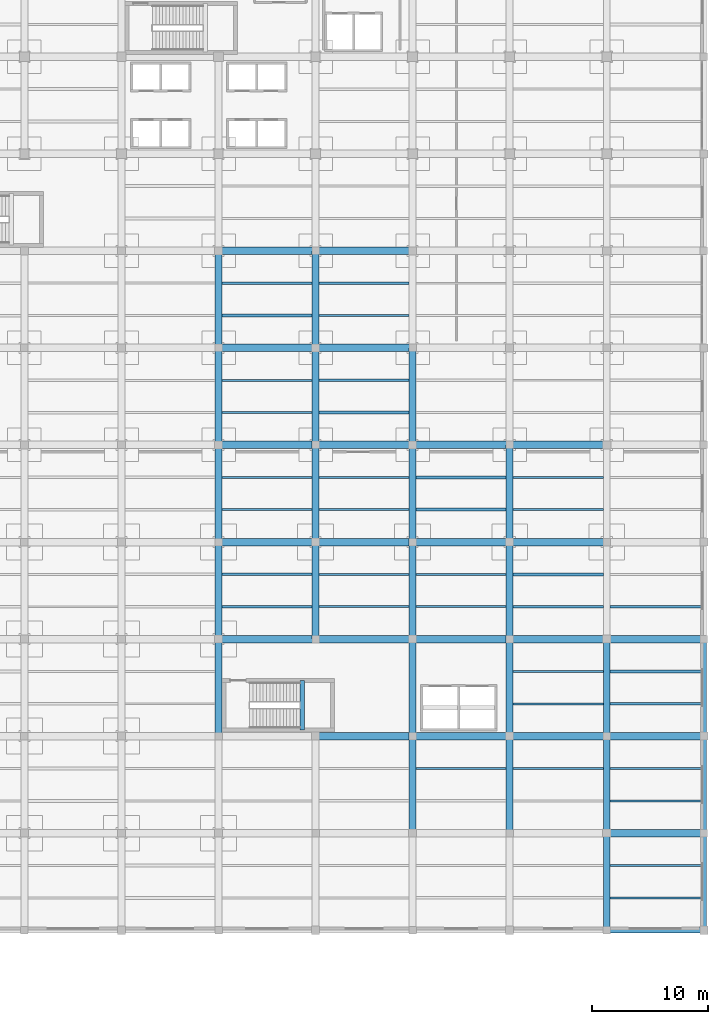
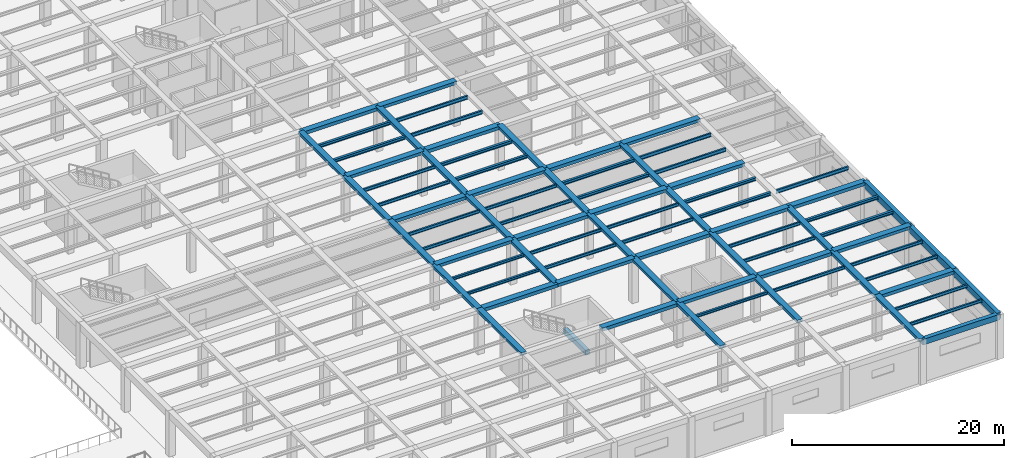
# One storey, part 30 of 65: 83 beams.
"""IFC4 building model written with IfcOpenShell, lengths in metres."""

from ifc_helpers import new_model, si_unit, direction, frame, origin, origin_2d, place, context, subcontext, project, spatial, rectangle, i_section, extrude, material, material_profile, profile_set, type_object, element, save


model = new_model("IFC4")

# Units and contexts
model_context = context("Model", 3, precision=1e-05, world=origin(), true_north=direction((0.0, 1.0)))
body_context = subcontext(model_context, "Body", "Model", "MODEL_VIEW")
ifc_project = project(units=[si_unit("LENGTHUNIT", "METRE"), si_unit("AREAUNIT", "SQUARE_METRE"), si_unit("VOLUMEUNIT", "CUBIC_METRE"), si_unit("PLANEANGLEUNIT", "RADIAN"), si_unit("MASSUNIT", "GRAM", prefix="KILO")], contexts=[model_context])

# Site, building, storey
site_placement = place(None, origin())
site = spatial("IfcSite", under=ifc_project, at=site_placement, CompositionType="ELEMENT")
building_placement = place(site_placement, origin())
building = spatial("IfcBuilding", under=site, at=building_placement, Name="Almacenes y Pasaje Nevantli", CompositionType="ELEMENT")
storey_placement = place(building_placement, frame((0.0, 0.0, 16.800048828125)))
storey = spatial("IfcBuildingStorey", under=building, at=storey_placement, Name="L04", CompositionType="ELEMENT", Elevation=16.800048828125)

# Beams
ifc_material_1 = material(Name="Concrete C35/45", Category="concrete")
ifc_material_profile_1 = material_profile(ifc_material_1, rectangle(XDim=0.39990234375, YDim=0.60009765625, at=origin_2d()), Name="RC-BM-400x600")
ifc_profile_set_1 = profile_set([ifc_material_profile_1], Name="Concrete C35/45")
beam_type_1 = type_object("IfcBeamType", Name="BM-RC-400x600", PredefinedType="SPANDREL", material=ifc_profile_set_1)
beam_1_placement = place(storey_placement, frame((133.25, 17.35009765625, 2.199951171875), z_axis=(0.0, 1.0, 0.0), x_axis=(-1.0, 0.0, 0.0)))
element("IfcBeam", 1, at=beam_1_placement, inside=storey, type_object=beam_type_1, Name="L04 Stair ST-06 Half-Landing Support Beam", PredefinedType="SPANDREL", context=body_context, shape_type="SweptSolid", body=[
    extrude(rectangle(XDim=0.39990234375, YDim=0.60009765625, at=origin_2d()), origin(), (0.0, 0.0, 1.0), 4.25),
])
ifc_material_2 = material(Name="Concrete C35/45", Category="concrete")
ifc_material_profile_2 = material_profile(ifc_material_2, rectangle(XDim=0.449951171875, YDim=0.64990234375, at=origin_2d()), Name="RC-BM-450x650")
ifc_profile_set_2 = profile_set([ifc_material_profile_2], Name="Concrete C35/45")
beam_type_2 = type_object("IfcBeamType", Name="BM-RC-450x650", PredefinedType="SPANDREL", material=ifc_profile_set_2)
beam_2_placement = place(storey_placement, frame((159.60009765625, 0.0, 4.77490234375), z_axis=(1.0, 0.0, 0.0), x_axis=(0.0, 1.0, 0.0)))
element("IfcBeam", 2, at=beam_2_placement, inside=storey, type_object=beam_type_2, Name="L04 East-West Reinforced Concrete Beam #2766", PredefinedType="SPANDREL", context=body_context, shape_type="SweptSolid", body=[
    extrude(rectangle(XDim=0.449951171875, YDim=0.64990234375, at=origin_2d()), origin(), (0.0, 0.0, 1.0), 8.39990234375),
])
ifc_material_3 = material(Name="Concrete C35/45", Category="concrete")
ifc_material_profile_3 = material_profile(ifc_material_3, rectangle(XDim=0.449951171875, YDim=0.699951171875, at=origin_2d()), Name="RC-BM-450x700")
ifc_profile_set_3 = profile_set([ifc_material_profile_3], Name="Concrete C35/45")
beam_type_3 = type_object("IfcBeamType", Name="BM-RC-450x700", PredefinedType="SPANDREL", material=ifc_profile_set_3)
beam_3_placement = place(storey_placement, frame((168.0, 0.0, 4.75), z_axis=(0.0, 1.0, 0.0), x_axis=(-1.0, 0.0, 0.0)))
element("IfcBeam", 3, at=beam_3_placement, inside=storey, type_object=beam_type_3, Name="L04 North-South Reinforced Concrete Beam #3215", PredefinedType="SPANDREL", context=body_context, shape_type="SweptSolid", body=[
    extrude(rectangle(XDim=0.449951171875, YDim=0.699951171875, at=origin_2d()), origin(), (0.0, 0.0, 1.0), 8.39990234375),
])
beam_4_placement = place(storey_placement, frame((168.0, 8.39990234375, 4.75), z_axis=(0.0, 1.0, 0.0), x_axis=(-1.0, 0.0, 0.0)))
element("IfcBeam", 4, at=beam_4_placement, inside=storey, type_object=beam_type_3, Name="L04 North-South Reinforced Concrete Beam #3216", PredefinedType="SPANDREL", context=body_context, shape_type="SweptSolid", body=[
    extrude(rectangle(XDim=0.449951171875, YDim=0.699951171875, at=origin_2d()), origin(), (0.0, 0.0, 1.0), 8.400146484375),
])
beam_5_placement = place(storey_placement, frame((168.0, 16.800048828125, 4.75), z_axis=(0.0, 1.0, 0.0), x_axis=(-1.0, 0.0, 0.0)))
element("IfcBeam", 5, at=beam_5_placement, inside=storey, type_object=beam_type_3, Name="L04 North-South Reinforced Concrete Beam #3217", PredefinedType="SPANDREL", context=body_context, shape_type="SweptSolid", body=[
    extrude(rectangle(XDim=0.449951171875, YDim=0.699951171875, at=origin_2d()), origin(), (0.0, 0.0, 1.0), 8.39990234375),
])
ifc_material_4 = material(Name="Concrete C35/45", Category="concrete")
ifc_material_profile_4 = material_profile(ifc_material_4, rectangle(XDim=0.60009765625, YDim=0.320068359375, at=origin_2d()), Name="RC-BM-600x320")
ifc_profile_set_4 = profile_set([ifc_material_profile_4], Name="Concrete C35/45")
beam_type_4 = type_object("IfcBeamType", Name="BM-RC-600x320", PredefinedType="BEAM", material=ifc_profile_set_4)
for number, where, z_axis, x_axis, name in (
    (6, (126.0, 16.800048828125, 4.93994140625), (0.0, 1.0, 0.0), (-1.0, 0.0, 0.0), "L04 North-South Reinforced Concrete Beam #3151"),
    (7, (126.0, 33.60009765625, 4.93994140625), (0.0, 1.0, 0.0), (-1.0, 0.0, 0.0), "L04 North-South Reinforced Concrete Beam #3153"),
):
    element("IfcBeam", number, at=place(storey_placement, frame(where, z_axis=z_axis, x_axis=x_axis)), inside=storey, type_object=beam_type_4, Name=name, PredefinedType="BEAM", context=body_context, shape_type="SweptSolid", body=[
        extrude(rectangle(XDim=0.60009765625, YDim=0.320068359375, at=origin_2d()), origin(), (0.0, 0.0, 1.0), 8.39990234375),
    ])
for number, where, z_axis, x_axis, name in (
    (8, (126.0, 50.39990234375, 4.93994140625), (0.0, 1.0, 0.0), (-1.0, 0.0, 0.0), "L04 North-South Reinforced Concrete Beam #3155"),
    (9, (134.39990234375, 25.199951171875, 4.93994140625), (0.0, 1.0, 0.0), (-1.0, 0.0, 0.0), "L04 North-South Reinforced Concrete Beam #3164"),
):
    element("IfcBeam", number, at=place(storey_placement, frame(where, z_axis=z_axis, x_axis=x_axis)), inside=storey, type_object=beam_type_4, Name=name, PredefinedType="BEAM", context=body_context, shape_type="SweptSolid", body=[
        extrude(rectangle(XDim=0.60009765625, YDim=0.320068359375, at=origin_2d()), origin(), (0.0, 0.0, 1.0), 8.400146484375),
    ])
for number, where, z_axis, x_axis, name in (
    (10, (134.39990234375, 42.0, 4.93994140625), (0.0, 1.0, 0.0), (-1.0, 0.0, 0.0), "L04 North-South Reinforced Concrete Beam #3166"),
    (11, (142.800048828125, 16.800048828125, 4.93994140625), (0.0, 1.0, 0.0), (-1.0, 0.0, 0.0), "L04 North-South Reinforced Concrete Beam #3176"),
    (12, (142.800048828125, 33.60009765625, 4.93994140625), (0.0, 1.0, 0.0), (-1.0, 0.0, 0.0), "L04 North-South Reinforced Concrete Beam #3178"),
):
    element("IfcBeam", number, at=place(storey_placement, frame(where, z_axis=z_axis, x_axis=x_axis)), inside=storey, type_object=beam_type_4, Name=name, PredefinedType="BEAM", context=body_context, shape_type="SweptSolid", body=[
        extrude(rectangle(XDim=0.60009765625, YDim=0.320068359375, at=origin_2d()), origin(), (0.0, 0.0, 1.0), 8.39990234375),
    ])
for number, where, z_axis, x_axis, name in (
    (13, (151.199951171875, 8.39990234375, 4.93994140625), (0.0, 1.0, 0.0), (-1.0, 0.0, 0.0), "L04 North-South Reinforced Concrete Beam #3189"),
    (14, (151.199951171875, 25.199951171875, 4.93994140625), (0.0, 1.0, 0.0), (-1.0, 0.0, 0.0), "L04 North-South Reinforced Concrete Beam #3191"),
):
    element("IfcBeam", number, at=place(storey_placement, frame(where, z_axis=z_axis, x_axis=x_axis)), inside=storey, type_object=beam_type_4, Name=name, PredefinedType="BEAM", context=body_context, shape_type="SweptSolid", body=[
        extrude(rectangle(XDim=0.60009765625, YDim=0.320068359375, at=origin_2d()), origin(), (0.0, 0.0, 1.0), 8.400146484375),
    ])
for number, where, z_axis, x_axis, name in (
    (15, (159.60009765625, 0.0, 4.93994140625), (0.0, 1.0, 0.0), (-1.0, 0.0, 0.0), "L04 North-South Reinforced Concrete Beam #3201"),
    (16, (159.60009765625, 16.800048828125, 4.93994140625), (0.0, 1.0, 0.0), (-1.0, 0.0, 0.0), "L04 North-South Reinforced Concrete Beam #3203"),
):
    element("IfcBeam", number, at=place(storey_placement, frame(where, z_axis=z_axis, x_axis=x_axis)), inside=storey, type_object=beam_type_4, Name=name, PredefinedType="BEAM", context=body_context, shape_type="SweptSolid", body=[
        extrude(rectangle(XDim=0.60009765625, YDim=0.320068359375, at=origin_2d()), origin(), (0.0, 0.0, 1.0), 8.39990234375),
    ])
ifc_material_5 = material(Name="Concrete C35/45", Category="concrete")
ifc_material_profile_5 = material_profile(ifc_material_5, rectangle(XDim=0.60009765625, YDim=0.340087890625, at=origin_2d()), Name="RC-BM-600x340")
ifc_profile_set_5 = profile_set([ifc_material_profile_5], Name="Concrete C35/45")
beam_type_5 = type_object("IfcBeamType", Name="BM-RC-600x340", PredefinedType="BEAM", material=ifc_profile_set_5)
beam_6_placement = place(storey_placement, frame((126.0, 25.199951171875, 4.929931640625), z_axis=(0.0, 1.0, 0.0), x_axis=(-1.0, 0.0, 0.0)))
element("IfcBeam", 17, at=beam_6_placement, inside=storey, type_object=beam_type_5, Name="L04 North-South Reinforced Concrete Beam #3152", PredefinedType="BEAM", context=body_context, shape_type="SweptSolid", body=[
    extrude(rectangle(XDim=0.60009765625, YDim=0.340087890625, at=origin_2d()), origin(), (0.0, 0.0, 1.0), 8.400146484375),
])
for number, where, z_axis, x_axis, name in (
    (18, (126.0, 42.0, 4.929931640625), (0.0, 1.0, 0.0), (-1.0, 0.0, 0.0), "L04 North-South Reinforced Concrete Beam #3154"),
    (19, (134.39990234375, 33.60009765625, 4.929931640625), (0.0, 1.0, 0.0), (-1.0, 0.0, 0.0), "L04 North-South Reinforced Concrete Beam #3165"),
):
    element("IfcBeam", number, at=place(storey_placement, frame(where, z_axis=z_axis, x_axis=x_axis)), inside=storey, type_object=beam_type_5, Name=name, PredefinedType="BEAM", context=body_context, shape_type="SweptSolid", body=[
        extrude(rectangle(XDim=0.60009765625, YDim=0.340087890625, at=origin_2d()), origin(), (0.0, 0.0, 1.0), 8.39990234375),
    ])
for number, where, z_axis, x_axis, name in (
    (20, (134.39990234375, 50.39990234375, 4.929931640625), (0.0, 1.0, 0.0), (-1.0, 0.0, 0.0), "L04 North-South Reinforced Concrete Beam #3167"),
    (21, (142.800048828125, 8.39990234375, 4.929931640625), (0.0, 1.0, 0.0), (-1.0, 0.0, 0.0), "L04 North-South Reinforced Concrete Beam #3175"),
    (22, (142.800048828125, 25.199951171875, 4.929931640625), (0.0, 1.0, 0.0), (-1.0, 0.0, 0.0), "L04 North-South Reinforced Concrete Beam #3177"),
):
    element("IfcBeam", number, at=place(storey_placement, frame(where, z_axis=z_axis, x_axis=x_axis)), inside=storey, type_object=beam_type_5, Name=name, PredefinedType="BEAM", context=body_context, shape_type="SweptSolid", body=[
        extrude(rectangle(XDim=0.60009765625, YDim=0.340087890625, at=origin_2d()), origin(), (0.0, 0.0, 1.0), 8.400146484375),
    ])
for number, where, z_axis, x_axis, name in (
    (23, (142.800048828125, 42.0, 4.929931640625), (0.0, 1.0, 0.0), (-1.0, 0.0, 0.0), "L04 North-South Reinforced Concrete Beam #3179"),
    (24, (151.199951171875, 16.800048828125, 4.929931640625), (0.0, 1.0, 0.0), (-1.0, 0.0, 0.0), "L04 North-South Reinforced Concrete Beam #3190"),
    (25, (151.199951171875, 33.60009765625, 4.929931640625), (0.0, 1.0, 0.0), (-1.0, 0.0, 0.0), "L04 North-South Reinforced Concrete Beam #3192"),
):
    element("IfcBeam", number, at=place(storey_placement, frame(where, z_axis=z_axis, x_axis=x_axis)), inside=storey, type_object=beam_type_5, Name=name, PredefinedType="BEAM", context=body_context, shape_type="SweptSolid", body=[
        extrude(rectangle(XDim=0.60009765625, YDim=0.340087890625, at=origin_2d()), origin(), (0.0, 0.0, 1.0), 8.39990234375),
    ])
beam_7_placement = place(storey_placement, frame((159.60009765625, 8.39990234375, 4.929931640625), z_axis=(0.0, 1.0, 0.0), x_axis=(-1.0, 0.0, 0.0)))
element("IfcBeam", 26, at=beam_7_placement, inside=storey, type_object=beam_type_5, Name="L04 North-South Reinforced Concrete Beam #3202", PredefinedType="BEAM", context=body_context, shape_type="SweptSolid", body=[
    extrude(rectangle(XDim=0.60009765625, YDim=0.340087890625, at=origin_2d()), origin(), (0.0, 0.0, 1.0), 8.400146484375),
])
ifc_material_6 = material(Name="Concrete C35/45", Category="concrete")
ifc_material_profile_6 = material_profile(ifc_material_6, rectangle(XDim=0.64990234375, YDim=0.35009765625, at=origin_2d()), Name="RC-BM-650x350")
ifc_profile_set_6 = profile_set([ifc_material_profile_6], Name="Concrete C35/45")
beam_type_6 = type_object("IfcBeamType", Name="BM-RC-650x350", PredefinedType="BEAM", material=ifc_profile_set_6)
for number, where, z_axis, x_axis, name in (
    (27, (142.800048828125, 16.800048828125, 4.925048828125), (1.0, 0.0, 0.0), (0.0, 1.0, 0.0), "L04 East-West Reinforced Concrete Beam #2792"),
    (28, (159.60009765625, 16.800048828125, 4.925048828125), (1.0, 0.0, 0.0), (0.0, 1.0, 0.0), "L04 East-West Reinforced Concrete Beam #2794"),
):
    element("IfcBeam", number, at=place(storey_placement, frame(where, z_axis=z_axis, x_axis=x_axis)), inside=storey, type_object=beam_type_6, Name=name, PredefinedType="BEAM", context=body_context, shape_type="SweptSolid", body=[
        extrude(rectangle(XDim=0.64990234375, YDim=0.35009765625, at=origin_2d()), origin(), (0.0, 0.0, 1.0), 8.39990234375),
    ])
for number, where, z_axis, x_axis, name in (
    (29, (134.39990234375, 25.199951171875, 4.925048828125), (1.0, 0.0, 0.0), (0.0, 1.0, 0.0), "L04 East-West Reinforced Concrete Beam #2808"),
    (30, (151.199951171875, 25.199951171875, 4.925048828125), (1.0, 0.0, 0.0), (0.0, 1.0, 0.0), "L04 East-West Reinforced Concrete Beam #2810"),
):
    element("IfcBeam", number, at=place(storey_placement, frame(where, z_axis=z_axis, x_axis=x_axis)), inside=storey, type_object=beam_type_6, Name=name, PredefinedType="BEAM", context=body_context, shape_type="SweptSolid", body=[
        extrude(rectangle(XDim=0.64990234375, YDim=0.35009765625, at=origin_2d()), origin(), (0.0, 0.0, 1.0), 8.400146484375),
    ])
for number, where, z_axis, x_axis, name in (
    (31, (126.0, 33.60009765625, 4.925048828125), (1.0, 0.0, 0.0), (0.0, 1.0, 0.0), "L04 East-West Reinforced Concrete Beam #2824"),
    (32, (142.800048828125, 33.60009765625, 4.925048828125), (1.0, 0.0, 0.0), (0.0, 1.0, 0.0), "L04 East-West Reinforced Concrete Beam #2826"),
):
    element("IfcBeam", number, at=place(storey_placement, frame(where, z_axis=z_axis, x_axis=x_axis)), inside=storey, type_object=beam_type_6, Name=name, PredefinedType="BEAM", context=body_context, shape_type="SweptSolid", body=[
        extrude(rectangle(XDim=0.64990234375, YDim=0.35009765625, at=origin_2d()), origin(), (0.0, 0.0, 1.0), 8.39990234375),
    ])
for number, where, z_axis, x_axis, name in (
    (33, (134.39990234375, 42.0, 4.925048828125), (1.0, 0.0, 0.0), (0.0, 1.0, 0.0), "L04 East-West Reinforced Concrete Beam #2842"),
    (34, (151.199951171875, 42.0, 4.925048828125), (1.0, 0.0, 0.0), (0.0, 1.0, 0.0), "L04 East-West Reinforced Concrete Beam #2844"),
):
    element("IfcBeam", number, at=place(storey_placement, frame(where, z_axis=z_axis, x_axis=x_axis)), inside=storey, type_object=beam_type_6, Name=name, PredefinedType="BEAM", context=body_context, shape_type="SweptSolid", body=[
        extrude(rectangle(XDim=0.64990234375, YDim=0.35009765625, at=origin_2d()), origin(), (0.0, 0.0, 1.0), 8.400146484375),
    ])
beam_8_placement = place(storey_placement, frame((126.0, 50.39990234375, 4.925048828125), z_axis=(1.0, 0.0, 0.0), x_axis=(0.0, 1.0, 0.0)))
element("IfcBeam", 35, at=beam_8_placement, inside=storey, type_object=beam_type_6, Name="L04 East-West Reinforced Concrete Beam #2855", PredefinedType="BEAM", context=body_context, shape_type="SweptSolid", body=[
    extrude(rectangle(XDim=0.64990234375, YDim=0.35009765625, at=origin_2d()), origin(), (0.0, 0.0, 1.0), 8.39990234375),
])
beam_9_placement = place(storey_placement, frame((134.39990234375, 58.800048828125, 4.925048828125), z_axis=(1.0, 0.0, 0.0), x_axis=(0.0, 1.0, 0.0)))
element("IfcBeam", 36, at=beam_9_placement, inside=storey, type_object=beam_type_6, Name="L04 East-West Reinforced Concrete Beam #2870", PredefinedType="BEAM", context=body_context, shape_type="SweptSolid", body=[
    extrude(rectangle(XDim=0.64990234375, YDim=0.35009765625, at=origin_2d()), origin(), (0.0, 0.0, 1.0), 8.400146484375),
])
ifc_material_7 = material(Name="Concrete C35/45", Category="concrete")
ifc_material_profile_7 = material_profile(ifc_material_7, rectangle(XDim=0.64990234375, YDim=0.3798828125, at=origin_2d()), Name="RC-BM-650x380")
ifc_profile_set_7 = profile_set([ifc_material_profile_7], Name="Concrete C35/45")
beam_type_7 = type_object("IfcBeamType", Name="BM-RC-650x380", PredefinedType="BEAM", material=ifc_profile_set_7)
beam_10_placement = place(storey_placement, frame((159.60009765625, 8.39990234375, 4.909912109375), z_axis=(1.0, 0.0, 0.0), x_axis=(0.0, 1.0, 0.0)))
element("IfcBeam", 37, at=beam_10_placement, inside=storey, type_object=beam_type_7, Name="L04 East-West Reinforced Concrete Beam #2780", PredefinedType="BEAM", context=body_context, shape_type="SweptSolid", body=[
    extrude(rectangle(XDim=0.64990234375, YDim=0.3798828125, at=origin_2d()), origin(), (0.0, 0.0, 1.0), 8.39990234375),
])
for number, where, z_axis, x_axis, name in (
    (38, (134.39990234375, 16.800048828125, 4.909912109375), (1.0, 0.0, 0.0), (0.0, 1.0, 0.0), "L04 East-West Reinforced Concrete Beam #2791"),
    (39, (151.199951171875, 16.800048828125, 4.909912109375), (1.0, 0.0, 0.0), (0.0, 1.0, 0.0), "L04 East-West Reinforced Concrete Beam #2793"),
):
    element("IfcBeam", number, at=place(storey_placement, frame(where, z_axis=z_axis, x_axis=x_axis)), inside=storey, type_object=beam_type_7, Name=name, PredefinedType="BEAM", context=body_context, shape_type="SweptSolid", body=[
        extrude(rectangle(XDim=0.64990234375, YDim=0.3798828125, at=origin_2d()), origin(), (0.0, 0.0, 1.0), 8.400146484375),
    ])
for number, where, z_axis, x_axis, name in (
    (40, (126.0, 25.199951171875, 4.909912109375), (1.0, 0.0, 0.0), (0.0, 1.0, 0.0), "L04 East-West Reinforced Concrete Beam #2807"),
    (41, (142.800048828125, 25.199951171875, 4.909912109375), (1.0, 0.0, 0.0), (0.0, 1.0, 0.0), "L04 East-West Reinforced Concrete Beam #2809"),
    (42, (159.60009765625, 25.199951171875, 4.909912109375), (1.0, 0.0, 0.0), (0.0, 1.0, 0.0), "L04 East-West Reinforced Concrete Beam #2811"),
):
    element("IfcBeam", number, at=place(storey_placement, frame(where, z_axis=z_axis, x_axis=x_axis)), inside=storey, type_object=beam_type_7, Name=name, PredefinedType="BEAM", context=body_context, shape_type="SweptSolid", body=[
        extrude(rectangle(XDim=0.64990234375, YDim=0.3798828125, at=origin_2d()), origin(), (0.0, 0.0, 1.0), 8.39990234375),
    ])
for number, where, z_axis, x_axis, name in (
    (43, (134.39990234375, 33.60009765625, 4.909912109375), (1.0, 0.0, 0.0), (0.0, 1.0, 0.0), "L04 East-West Reinforced Concrete Beam #2825"),
    (44, (151.199951171875, 33.60009765625, 4.909912109375), (1.0, 0.0, 0.0), (0.0, 1.0, 0.0), "L04 East-West Reinforced Concrete Beam #2827"),
):
    element("IfcBeam", number, at=place(storey_placement, frame(where, z_axis=z_axis, x_axis=x_axis)), inside=storey, type_object=beam_type_7, Name=name, PredefinedType="BEAM", context=body_context, shape_type="SweptSolid", body=[
        extrude(rectangle(XDim=0.64990234375, YDim=0.3798828125, at=origin_2d()), origin(), (0.0, 0.0, 1.0), 8.400146484375),
    ])
for number, where, z_axis, x_axis, name in (
    (45, (126.0, 42.0, 4.909912109375), (1.0, 0.0, 0.0), (0.0, 1.0, 0.0), "L04 East-West Reinforced Concrete Beam #2841"),
    (46, (142.800048828125, 42.0, 4.909912109375), (1.0, 0.0, 0.0), (0.0, 1.0, 0.0), "L04 East-West Reinforced Concrete Beam #2843"),
):
    element("IfcBeam", number, at=place(storey_placement, frame(where, z_axis=z_axis, x_axis=x_axis)), inside=storey, type_object=beam_type_7, Name=name, PredefinedType="BEAM", context=body_context, shape_type="SweptSolid", body=[
        extrude(rectangle(XDim=0.64990234375, YDim=0.3798828125, at=origin_2d()), origin(), (0.0, 0.0, 1.0), 8.39990234375),
    ])
beam_11_placement = place(storey_placement, frame((134.39990234375, 50.39990234375, 4.909912109375), z_axis=(1.0, 0.0, 0.0), x_axis=(0.0, 1.0, 0.0)))
element("IfcBeam", 47, at=beam_11_placement, inside=storey, type_object=beam_type_7, Name="L04 East-West Reinforced Concrete Beam #2856", PredefinedType="BEAM", context=body_context, shape_type="SweptSolid", body=[
    extrude(rectangle(XDim=0.64990234375, YDim=0.3798828125, at=origin_2d()), origin(), (0.0, 0.0, 1.0), 8.400146484375),
])
beam_12_placement = place(storey_placement, frame((126.0, 58.800048828125, 4.909912109375), z_axis=(1.0, 0.0, 0.0), x_axis=(0.0, 1.0, 0.0)))
element("IfcBeam", 48, at=beam_12_placement, inside=storey, type_object=beam_type_7, Name="L04 East-West Reinforced Concrete Beam #2869", PredefinedType="BEAM", context=body_context, shape_type="SweptSolid", body=[
    extrude(rectangle(XDim=0.64990234375, YDim=0.3798828125, at=origin_2d()), origin(), (0.0, 0.0, 1.0), 8.39990234375),
])
ifc_material_8 = material(Name="Steel ASTM A992", Category="steel")
ifc_material_profile_8 = material_profile(ifc_material_8, i_section(OverallWidth=0.205078125, OverallDepth=0.31005859375, WebThickness=0.009521484375, FlangeThickness=0.016357421875, at=origin_2d()), Name="IR 305x74.4")
ifc_profile_set_8 = profile_set([ifc_material_profile_8], Name="Steel ASTM A992")
beam_type_8 = type_object("IfcBeamType", Name="BM-STL-IR-305x74p4", PredefinedType="JOIST", material=ifc_profile_set_8)
for number, where, z_axis, x_axis, name in (
    (49, (126.300048828125, 28.0, 4.93701171875), (1.0, 0.0, 0.0), (0.0, 1.0, 0.0), "L04 Secondary Steel Floor Joist #1237"),
    (50, (126.300048828125, 30.800048828125, 4.93701171875), (1.0, 0.0, 0.0), (0.0, 1.0, 0.0), "L04 Secondary Steel Floor Joist #1238"),
):
    element("IfcBeam", number, at=place(storey_placement, frame(where, z_axis=z_axis, x_axis=x_axis)), inside=storey, type_object=beam_type_8, Name=name, PredefinedType="JOIST", context=body_context, shape_type="SweptSolid", body=[
        extrude(i_section(OverallWidth=0.205078125, OverallDepth=0.31005859375, WebThickness=0.009521484375, FlangeThickness=0.016357421875, at=origin_2d()), origin(), (0.0, 0.0, 1.0), 7.800048828125),
    ])
beam_13_placement = place(storey_placement, frame((143.10009765625, 14.0, 4.93701171875), z_axis=(1.0, 0.0, 0.0), x_axis=(0.0, 1.0, 0.0)))
element("IfcBeam", 51, at=beam_13_placement, inside=storey, type_object=beam_type_8, Name="L04 Secondary Steel Floor Joist #1278", PredefinedType="JOIST", context=body_context, shape_type="SweptSolid", body=[
    extrude(i_section(OverallWidth=0.205078125, OverallDepth=0.31005859375, WebThickness=0.009521484375, FlangeThickness=0.016357421875, at=origin_2d()), origin(), (0.0, 0.0, 1.0), 7.7998046875),
])
ifc_material_9 = material(Name="Steel ASTM A992", Category="steel")
ifc_material_profile_9 = material_profile(ifc_material_9, i_section(OverallWidth=0.173095703125, OverallDepth=0.35302734375, WebThickness=0.0078125, FlangeThickness=0.01318359375, at=origin_2d()), Name="IR 356x56.6")
ifc_profile_set_9 = profile_set([ifc_material_profile_9], Name="Steel ASTM A992")
beam_type_9 = type_object("IfcBeamType", Name="BM-STL-IR-356x56p6", PredefinedType="JOIST", material=ifc_profile_set_9)
for number, where, z_axis, x_axis, name in (
    (52, (126.300048828125, 36.39990234375, 4.91552734375), (1.0, 0.0, 0.0), (0.0, 1.0, 0.0), "L04 Secondary Steel Floor Joist #1239"),
    (53, (126.300048828125, 39.199951171875, 4.91552734375), (1.0, 0.0, 0.0), (0.0, 1.0, 0.0), "L04 Secondary Steel Floor Joist #1240"),
    (54, (134.699951171875, 28.0, 4.91552734375), (1.0, 0.0, 0.0), (0.0, 1.0, 0.0), "L04 Secondary Steel Floor Joist #1257"),
    (55, (134.699951171875, 30.800048828125, 4.91552734375), (1.0, 0.0, 0.0), (0.0, 1.0, 0.0), "L04 Secondary Steel Floor Joist #1258"),
    (56, (151.5, 14.0, 4.91552734375), (1.0, 0.0, 0.0), (0.0, 1.0, 0.0), "L04 Secondary Steel Floor Joist #1302"),
):
    element("IfcBeam", number, at=place(storey_placement, frame(where, z_axis=z_axis, x_axis=x_axis)), inside=storey, type_object=beam_type_9, Name=name, PredefinedType="JOIST", context=body_context, shape_type="SweptSolid", body=[
        extrude(i_section(OverallWidth=0.173095703125, OverallDepth=0.35302734375, WebThickness=0.0078125, FlangeThickness=0.01318359375, at=origin_2d()), origin(), (0.0, 0.0, 1.0), 7.800048828125),
    ])
for number, where, z_axis, x_axis, name in (
    (57, (159.89990234375, 2.800048828125, 4.91552734375), (1.0, 0.0, 0.0), (0.0, 1.0, 0.0), "L04 Secondary Steel Floor Joist #1325"),
    (58, (159.89990234375, 5.60009765625, 4.91552734375), (1.0, 0.0, 0.0), (0.0, 1.0, 0.0), "L04 Secondary Steel Floor Joist #1326"),
):
    element("IfcBeam", number, at=place(storey_placement, frame(where, z_axis=z_axis, x_axis=x_axis)), inside=storey, type_object=beam_type_9, Name=name, PredefinedType="JOIST", context=body_context, shape_type="SweptSolid", body=[
        extrude(i_section(OverallWidth=0.173095703125, OverallDepth=0.35302734375, WebThickness=0.0078125, FlangeThickness=0.01318359375, at=origin_2d()), origin(), (0.0, 0.0, 1.0), 7.875),
    ])
ifc_material_10 = material(Name="Steel ASTM A992", Category="steel")
ifc_material_profile_10 = material_profile(ifc_material_10, i_section(OverallWidth=0.173095703125, OverallDepth=0.364013671875, WebThickness=0.009033203125, FlangeThickness=0.015625, at=origin_2d()), Name="IR 356x67.0")
ifc_profile_set_10 = profile_set([ifc_material_profile_10], Name="Steel ASTM A992")
beam_type_10 = type_object("IfcBeamType", Name="BM-STL-IR-356x67p0", PredefinedType="JOIST", material=ifc_profile_set_10)
for number, where, z_axis, x_axis, name in (
    (59, (126.300048828125, 44.800048828125, 4.909912109375), (1.0, 0.0, 0.0), (0.0, 1.0, 0.0), "L04 Secondary Steel Floor Joist #1241"),
    (60, (126.300048828125, 47.60009765625, 4.909912109375), (1.0, 0.0, 0.0), (0.0, 1.0, 0.0), "L04 Secondary Steel Floor Joist #1242"),
    (61, (134.699951171875, 36.39990234375, 4.909912109375), (1.0, 0.0, 0.0), (0.0, 1.0, 0.0), "L04 Secondary Steel Floor Joist #1259"),
    (62, (134.699951171875, 39.199951171875, 4.909912109375), (1.0, 0.0, 0.0), (0.0, 1.0, 0.0), "L04 Secondary Steel Floor Joist #1260"),
):
    element("IfcBeam", number, at=place(storey_placement, frame(where, z_axis=z_axis, x_axis=x_axis)), inside=storey, type_object=beam_type_10, Name=name, PredefinedType="JOIST", context=body_context, shape_type="SweptSolid", body=[
        extrude(i_section(OverallWidth=0.173095703125, OverallDepth=0.364013671875, WebThickness=0.009033203125, FlangeThickness=0.015625, at=origin_2d()), origin(), (0.0, 0.0, 1.0), 7.800048828125),
    ])
for number, where, z_axis, x_axis, name in (
    (63, (143.10009765625, 28.0, 4.909912109375), (1.0, 0.0, 0.0), (0.0, 1.0, 0.0), "L04 Secondary Steel Floor Joist #1279"),
    (64, (143.10009765625, 30.800048828125, 4.909912109375), (1.0, 0.0, 0.0), (0.0, 1.0, 0.0), "L04 Secondary Steel Floor Joist #1280"),
):
    element("IfcBeam", number, at=place(storey_placement, frame(where, z_axis=z_axis, x_axis=x_axis)), inside=storey, type_object=beam_type_10, Name=name, PredefinedType="JOIST", context=body_context, shape_type="SweptSolid", body=[
        extrude(i_section(OverallWidth=0.173095703125, OverallDepth=0.364013671875, WebThickness=0.009033203125, FlangeThickness=0.015625, at=origin_2d()), origin(), (0.0, 0.0, 1.0), 7.7998046875),
    ])
for number, where, z_axis, x_axis, name in (
    (65, (151.5, 19.60009765625, 4.909912109375), (1.0, 0.0, 0.0), (0.0, 1.0, 0.0), "L04 Secondary Steel Floor Joist #1303"),
    (66, (151.5, 22.39990234375, 4.909912109375), (1.0, 0.0, 0.0), (0.0, 1.0, 0.0), "L04 Secondary Steel Floor Joist #1304"),
):
    element("IfcBeam", number, at=place(storey_placement, frame(where, z_axis=z_axis, x_axis=x_axis)), inside=storey, type_object=beam_type_10, Name=name, PredefinedType="JOIST", context=body_context, shape_type="SweptSolid", body=[
        extrude(i_section(OverallWidth=0.173095703125, OverallDepth=0.364013671875, WebThickness=0.009033203125, FlangeThickness=0.015625, at=origin_2d()), origin(), (0.0, 0.0, 1.0), 7.800048828125),
    ])
for number, where, z_axis, x_axis, name in (
    (67, (159.89990234375, 11.199951171875, 4.909912109375), (1.0, 0.0, 0.0), (0.0, 1.0, 0.0), "L04 Secondary Steel Floor Joist #1327"),
    (68, (159.89990234375, 14.0, 4.909912109375), (1.0, 0.0, 0.0), (0.0, 1.0, 0.0), "L04 Secondary Steel Floor Joist #1328"),
):
    element("IfcBeam", number, at=place(storey_placement, frame(where, z_axis=z_axis, x_axis=x_axis)), inside=storey, type_object=beam_type_10, Name=name, PredefinedType="JOIST", context=body_context, shape_type="SweptSolid", body=[
        extrude(i_section(OverallWidth=0.173095703125, OverallDepth=0.364013671875, WebThickness=0.009033203125, FlangeThickness=0.015625, at=origin_2d()), origin(), (0.0, 0.0, 1.0), 7.875),
    ])
ifc_material_11 = material(Name="Steel ASTM A992", Category="steel")
ifc_material_profile_11 = material_profile(ifc_material_11, i_section(OverallWidth=0.25390625, OverallDepth=0.35595703125, WebThickness=0.009521484375, FlangeThickness=0.016357421875, at=origin_2d()), Name="IR 356x79.0")
ifc_profile_set_11 = profile_set([ifc_material_profile_11], Name="Steel ASTM A992")
beam_type_11 = type_object("IfcBeamType", Name="BM-STL-IR-356x79p0", PredefinedType="JOIST", material=ifc_profile_set_11)
for number, where, z_axis, x_axis, name in (
    (69, (126.300048828125, 53.199951171875, 4.9140625), (1.0, 0.0, 0.0), (0.0, 1.0, 0.0), "L04 Secondary Steel Floor Joist #1243"),
    (70, (126.300048828125, 56.0, 4.9140625), (1.0, 0.0, 0.0), (0.0, 1.0, 0.0), "L04 Secondary Steel Floor Joist #1244"),
    (71, (134.699951171875, 44.800048828125, 4.9140625), (1.0, 0.0, 0.0), (0.0, 1.0, 0.0), "L04 Secondary Steel Floor Joist #1261"),
    (72, (134.699951171875, 47.60009765625, 4.9140625), (1.0, 0.0, 0.0), (0.0, 1.0, 0.0), "L04 Secondary Steel Floor Joist #1262"),
):
    element("IfcBeam", number, at=place(storey_placement, frame(where, z_axis=z_axis, x_axis=x_axis)), inside=storey, type_object=beam_type_11, Name=name, PredefinedType="JOIST", context=body_context, shape_type="SweptSolid", body=[
        extrude(i_section(OverallWidth=0.25390625, OverallDepth=0.35595703125, WebThickness=0.009521484375, FlangeThickness=0.016357421875, at=origin_2d()), origin(), (0.0, 0.0, 1.0), 7.800048828125),
    ])
for number, where, z_axis, x_axis, name in (
    (73, (143.10009765625, 36.39990234375, 4.9140625), (1.0, 0.0, 0.0), (0.0, 1.0, 0.0), "L04 Secondary Steel Floor Joist #1281"),
    (74, (143.10009765625, 39.199951171875, 4.9140625), (1.0, 0.0, 0.0), (0.0, 1.0, 0.0), "L04 Secondary Steel Floor Joist #1282"),
):
    element("IfcBeam", number, at=place(storey_placement, frame(where, z_axis=z_axis, x_axis=x_axis)), inside=storey, type_object=beam_type_11, Name=name, PredefinedType="JOIST", context=body_context, shape_type="SweptSolid", body=[
        extrude(i_section(OverallWidth=0.25390625, OverallDepth=0.35595703125, WebThickness=0.009521484375, FlangeThickness=0.016357421875, at=origin_2d()), origin(), (0.0, 0.0, 1.0), 7.7998046875),
    ])
for number, where, z_axis, x_axis, name in (
    (75, (151.5, 28.0, 4.9140625), (1.0, 0.0, 0.0), (0.0, 1.0, 0.0), "L04 Secondary Steel Floor Joist #1305"),
    (76, (151.5, 30.800048828125, 4.9140625), (1.0, 0.0, 0.0), (0.0, 1.0, 0.0), "L04 Secondary Steel Floor Joist #1306"),
):
    element("IfcBeam", number, at=place(storey_placement, frame(where, z_axis=z_axis, x_axis=x_axis)), inside=storey, type_object=beam_type_11, Name=name, PredefinedType="JOIST", context=body_context, shape_type="SweptSolid", body=[
        extrude(i_section(OverallWidth=0.25390625, OverallDepth=0.35595703125, WebThickness=0.009521484375, FlangeThickness=0.016357421875, at=origin_2d()), origin(), (0.0, 0.0, 1.0), 7.800048828125),
    ])
for number, where, z_axis, x_axis, name in (
    (77, (159.89990234375, 19.60009765625, 4.9140625), (1.0, 0.0, 0.0), (0.0, 1.0, 0.0), "L04 Secondary Steel Floor Joist #1329"),
    (78, (159.89990234375, 22.39990234375, 4.9140625), (1.0, 0.0, 0.0), (0.0, 1.0, 0.0), "L04 Secondary Steel Floor Joist #1330"),
):
    element("IfcBeam", number, at=place(storey_placement, frame(where, z_axis=z_axis, x_axis=x_axis)), inside=storey, type_object=beam_type_11, Name=name, PredefinedType="JOIST", context=body_context, shape_type="SweptSolid", body=[
        extrude(i_section(OverallWidth=0.25390625, OverallDepth=0.35595703125, WebThickness=0.009521484375, FlangeThickness=0.016357421875, at=origin_2d()), origin(), (0.0, 0.0, 1.0), 7.875),
    ])
ifc_material_12 = material(Name="Steel ASTM A992", Category="steel")
ifc_material_profile_12 = material_profile(ifc_material_12, i_section(OverallWidth=0.178955078125, OverallDepth=0.406005859375, WebThickness=0.0087890625, FlangeThickness=0.014404296875, at=origin_2d()), Name="IR 406x67.0")
ifc_profile_set_12 = profile_set([ifc_material_profile_12], Name="Steel ASTM A992")
beam_type_12 = type_object("IfcBeamType", Name="BM-STL-IR-406x67p0", PredefinedType="JOIST", material=ifc_profile_set_12)
for number, where, z_axis, x_axis, name in (
    (79, (134.699951171875, 53.199951171875, 4.888916015625), (1.0, 0.0, 0.0), (0.0, 1.0, 0.0), "L04 Secondary Steel Floor Joist #1263"),
    (80, (134.699951171875, 56.0, 4.888916015625), (1.0, 0.0, 0.0), (0.0, 1.0, 0.0), "L04 Secondary Steel Floor Joist #1264"),
    (81, (151.5, 36.39990234375, 4.888916015625), (1.0, 0.0, 0.0), (0.0, 1.0, 0.0), "L04 Secondary Steel Floor Joist #1307"),
    (82, (151.5, 39.199951171875, 4.888916015625), (1.0, 0.0, 0.0), (0.0, 1.0, 0.0), "L04 Secondary Steel Floor Joist #1308"),
):
    element("IfcBeam", number, at=place(storey_placement, frame(where, z_axis=z_axis, x_axis=x_axis)), inside=storey, type_object=beam_type_12, Name=name, PredefinedType="JOIST", context=body_context, shape_type="SweptSolid", body=[
        extrude(i_section(OverallWidth=0.178955078125, OverallDepth=0.406005859375, WebThickness=0.0087890625, FlangeThickness=0.014404296875, at=origin_2d()), origin(), (0.0, 0.0, 1.0), 7.800048828125),
    ])
beam_14_placement = place(storey_placement, frame((159.89990234375, 28.0, 4.888916015625), z_axis=(1.0, 0.0, 0.0), x_axis=(0.0, 1.0, 0.0)))
element("IfcBeam", 83, at=beam_14_placement, inside=storey, type_object=beam_type_12, Name="L04 Secondary Steel Floor Joist #1331", PredefinedType="JOIST", context=body_context, shape_type="SweptSolid", body=[
    extrude(i_section(OverallWidth=0.178955078125, OverallDepth=0.406005859375, WebThickness=0.0087890625, FlangeThickness=0.014404296875, at=origin_2d()), origin(), (0.0, 0.0, 1.0), 7.875),
])

save(model, "model.ifc")
